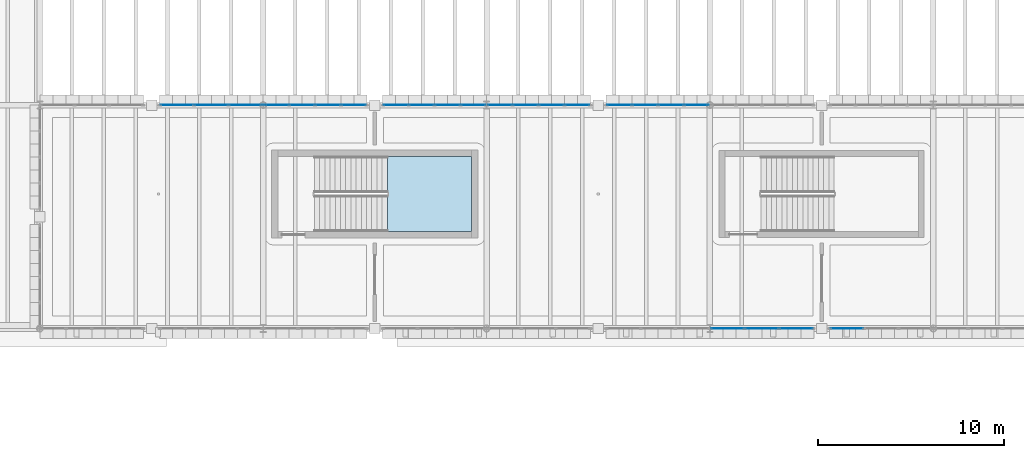
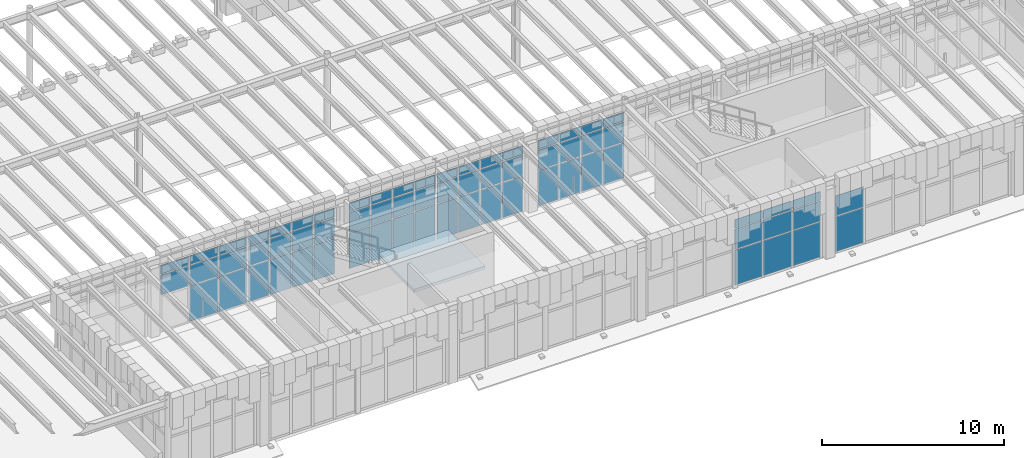
# One storey, part 51 of 100: 67 plates, 1 slab, 8 elements without a shape of their own.
"""IFC4 building model written with IfcOpenShell, lengths in metres."""

import ifcopenshell
import ifcopenshell.guid

model = None  # the IFC model being written
_history = None  # IfcOwnerHistory: only IFC2X3 demands one
_inside = {}  # id of a spatial element -> (the spatial element, [elements in it])
_under = {}  # id of a project, library or spatial element -> (it, [spatial elements below it])
_declared = {}  # id of a project -> (the project, [libraries it declares])
_typed = {}  # id of a type object -> (the type object, [elements of that type])
_made_of = {}  # id of a material, layer set ... -> (it, [elements and type objects made of it])


def new_model(schema):
    """Start an empty IFC model of exactly this schema.

    Asked for "IFC4X3", IfcOpenShell would pick the latest addendum, in which some entities
    have other attributes; the version numbers below select the first issue.
    IFC2X3 requires an IfcOwnerHistory on every rooted entity: one is made here for all.
    """
    global model, _history
    if schema == "IFC4X3":
        model = ifcopenshell.file(schema_version=(4, 3, 0, 0))
    else:
        model = ifcopenshell.file(schema=schema)
    _inside.clear()
    _under.clear()
    _declared.clear()
    _typed.clear()
    _made_of.clear()
    _history = None
    if model.schema == "IFC2X3":
        org = make("IfcOrganization", Name="unknown")
        user = make(
            "IfcPersonAndOrganization",
            ThePerson=make("IfcPerson", FamilyName="unknown"),
            TheOrganization=org,
        )
        app = make(
            "IfcApplication",
            ApplicationDeveloper=org,
            Version="unknown",
            ApplicationFullName="unknown",
            ApplicationIdentifier="unknown",
        )
        _history = make(
            "IfcOwnerHistory",
            OwningUser=user,
            OwningApplication=app,
            ChangeAction="ADDED",
            CreationDate=0,
        )
    return model


def make(cls, **values):
    """One entity of the class cls with the attributes given. An attribute that is None is left unset."""
    return model.create_entity(
        cls, **{name: value for name, value in values.items() if value is not None}
    )


def rooted(cls, **values):
    """An entity with a GlobalId (a new one), such as an element, a storey or a relation."""
    return make(cls, GlobalId=ifcopenshell.guid.new(), OwnerHistory=_history, **values)


def si_unit(unit_type, name, prefix=None):
    """IfcSIUnit, for example si_unit("LENGTHUNIT", "METRE", prefix="MILLI")."""
    return make("IfcSIUnit", UnitType=unit_type, Prefix=prefix, Name=name)


def assignment(units):
    """IfcUnitAssignment: the units of a project."""
    return None if units is None else make("IfcUnitAssignment", Units=units)


def point(xyz):
    """IfcCartesianPoint."""
    return None if xyz is None else make("IfcCartesianPoint", Coordinates=xyz)


def direction(xyz):
    """IfcDirection."""
    return None if xyz is None else make("IfcDirection", DirectionRatios=xyz)


def frame(location, z_axis=None, x_axis=None):
    """IfcAxis2Placement3D, a coordinate frame: its origin and axes. An axis left out is left unset."""
    return make(
        "IfcAxis2Placement3D",
        Location=point(location),
        Axis=direction(z_axis),
        RefDirection=direction(x_axis),
    )


def frame_2d(location, x_axis=None):
    """IfcAxis2Placement2D, a coordinate frame in the plane: its origin and x axis."""
    return make(
        "IfcAxis2Placement2D", Location=point(location), RefDirection=direction(x_axis)
    )


def origin():
    """The frame at (0, 0, 0) with its axes left unset."""
    return frame((0.0, 0.0, 0.0))


def origin_2d():
    """The frame at (0, 0) in the plane with its x axis left unset."""
    return frame_2d((0.0, 0.0))


def place(relative_to, where):
    """IfcLocalPlacement: puts the frame where relative to a parent placement (None: the world)."""
    return make(
        "IfcLocalPlacement", PlacementRelTo=relative_to, RelativePlacement=where
    )


def context(
    kind, dimensions, precision=None, world=None, true_north=None, identifier=None
):
    """IfcGeometricRepresentationContext, for example the 3D "Model" context."""
    return make(
        "IfcGeometricRepresentationContext",
        ContextIdentifier=identifier,
        ContextType=kind,
        CoordinateSpaceDimension=dimensions,
        Precision=precision,
        WorldCoordinateSystem=world,
        TrueNorth=true_north,
    )


def subcontext(parent, identifier, kind, view, scale=None):
    """IfcGeometricRepresentationSubContext, for example "Body" below "Model"."""
    return make(
        "IfcGeometricRepresentationSubContext",
        ContextIdentifier=identifier,
        ContextType=kind,
        ParentContext=parent,
        TargetScale=scale,
        TargetView=view,
    )


def project(units=None, contexts=None):
    """IfcProject with its units and contexts."""
    return rooted(
        "IfcProject",
        Name="project",
        RepresentationContexts=contexts,
        UnitsInContext=assignment(units),
    )


def spatial(cls, under=None, at=None, **own):
    """A site, building, storey or space (cls), placed at a placement, below another one or the project."""
    s = rooted(cls, ObjectPlacement=at, **own)
    if under is not None:
        _under.setdefault(under.id(), (under, []))[1].append(s)
    return s


def polyline(points):
    """IfcPolyline through the points."""
    return make("IfcPolyline", Points=[point(p) for p in points])


def profile(cls, at=None, kind="AREA", **sizes):
    """A parametric profile (cls). Its sizes go by their IFC names, for example OverallWidth=200.0."""
    return make(cls, ProfileType=kind, Position=at, **sizes)


def rectangle(**sizes):
    """IfcRectangleProfileDef."""
    return profile("IfcRectangleProfileDef", **sizes)


def outline(outer, holes=None, kind="AREA"):
    """IfcArbitraryClosedProfileDef: a profile drawn as a closed curve; with holes, ...WithVoids."""
    if holes is None:
        return make("IfcArbitraryClosedProfileDef", ProfileType=kind, OuterCurve=outer)
    return make(
        "IfcArbitraryProfileDefWithVoids",
        ProfileType=kind,
        OuterCurve=outer,
        InnerCurves=holes,
    )


def extrude(swept, where, along, depth):
    """IfcExtrudedAreaSolid: the profile swept, set in the frame where, extruded along a direction by depth."""
    return make(
        "IfcExtrudedAreaSolid",
        SweptArea=swept,
        Position=where,
        ExtrudedDirection=direction(along),
        Depth=depth,
    )


def shape(context_of_items, identifier, shape_type, items):
    """IfcShapeRepresentation: the items that make up one representation, for example the "Body"."""
    return make(
        "IfcShapeRepresentation",
        ContextOfItems=context_of_items,
        RepresentationIdentifier=identifier,
        RepresentationType=shape_type,
        Items=items,
    )


def material(Name=None, Category=None):
    """IfcMaterial."""
    return make("IfcMaterial", Name=Name, Category=Category)


def layer(
    of_material, thickness, ventilated=None, Name=None, Category=None, Priority=None
):
    """IfcMaterialLayer: one layer of a wall or slab, of a material (None: an air gap)."""
    return make(
        "IfcMaterialLayer",
        Material=of_material,
        LayerThickness=thickness,
        IsVentilated=ventilated,
        Name=Name,
        Category=Category,
        Priority=Priority,
    )


def layer_set(layers, Name=None):
    """IfcMaterialLayerSet."""
    return make("IfcMaterialLayerSet", MaterialLayers=layers, LayerSetName=Name)


def made_of(thing, what):
    """Note that an element or type object is made of a material, layer set ...; save() writes the relation."""
    if what is not None:
        _made_of.setdefault(what.id(), (what, []))[1].append(thing)
    return thing


def type_object(cls, material=None, **own):
    """A type object (cls), such as IfcWallType, which elements share."""
    return made_of(rooted(cls, **own), material)


def element(
    cls,
    number,
    at=None,
    inside=None,
    cuts=None,
    type_object=None,
    material=None,
    context=None,
    identifier="Body",
    shape_type=None,
    held_by="IfcProductDefinitionShape",
    body=None,
    shapes=None,
    **own,
):
    """One element of the class cls, such as IfcWall. Its Tag is "e" and its number.

    at: its placement. inside: the storey or other place that contains it. cuts: it is an
    opening in that element (IfcRelVoidsElement). A single representation is given by context,
    identifier, shape_type and body (its items); several are given by shapes. held_by: the class
    of the entity that holds the representations. save() writes the other relations.
    """
    e = rooted(cls, Tag="e%d" % number, ObjectPlacement=at, **own)
    if body is not None:
        shapes = [shape(context, identifier, shape_type, body)]
    if shapes is not None:
        e.Representation = make(held_by, Representations=shapes)
    if inside is not None:
        _inside.setdefault(inside.id(), (inside, []))[1].append(e)
    if cuts is not None:
        rooted(
            "IfcRelVoidsElement", RelatingBuildingElement=cuts, RelatedOpeningElement=e
        )
    if type_object is not None:
        _typed.setdefault(type_object.id(), (type_object, []))[1].append(e)
    return made_of(e, material)


def aggregate(whole, parts):
    """IfcRelAggregates: a whole, such as a stair, and the parts it consists of."""
    return rooted("IfcRelAggregates", RelatingObject=whole, RelatedObjects=parts)


def save(model, path):
    """Write the relations noted so far, then the file.

    IfcRelAggregates (storeys below a building ...), IfcRelContainedInSpatialStructure (elements
    in a storey), IfcRelDefinesByType, IfcRelAssociatesMaterial and IfcRelDeclares: one each for
    every whole, place, type object, material and project.
    """
    for whole, parts in _under.values():
        aggregate(whole, parts)
    for where, things in _inside.values():
        rooted(
            "IfcRelContainedInSpatialStructure",
            RelatedElements=things,
            RelatingStructure=where,
        )
    for kind, things in _typed.values():
        rooted("IfcRelDefinesByType", RelatedObjects=things, RelatingType=kind)
    for what, things in _made_of.values():
        rooted("IfcRelAssociatesMaterial", RelatedObjects=things, RelatingMaterial=what)
    for by, libraries in _declared.values():
        rooted("IfcRelDeclares", RelatingContext=by, RelatedDefinitions=libraries)
    model.write(path)


model = new_model("IFC4")

# Units and contexts
model_context = context("Model", 3, precision=1e-05, world=origin(), true_north=direction((0.0, 1.0)))
body_context = subcontext(model_context, "Body", "Model", "MODEL_VIEW")
ifc_project = project(units=[si_unit("LENGTHUNIT", "METRE"), si_unit("AREAUNIT", "SQUARE_METRE"), si_unit("VOLUMEUNIT", "CUBIC_METRE"), si_unit("PLANEANGLEUNIT", "RADIAN"), si_unit("MASSUNIT", "GRAM", prefix="KILO")], contexts=[model_context])

# Site, building, storey
site_placement = place(None, origin())
site = spatial("IfcSite", under=ifc_project, at=site_placement, CompositionType="ELEMENT")
building_placement = place(site_placement, origin())
building = spatial("IfcBuilding", under=site, at=building_placement, Name="Zlatogorsky Bluff Art Gallery", CompositionType="ELEMENT")
storey_placement = place(building_placement, frame((0.0, 0.0, 5.39990234375)))
storey = spatial("IfcBuildingStorey", under=building, at=storey_placement, Name="L01", CompositionType="ELEMENT", Elevation=5.39990234375)

# Curtain wall, plates
ifc_material_1 = material(Name="Anodised Bronze Aluminium and Low-Iron Triple Glazing", Category="aluminium")
ifc_layer_1 = layer(ifc_material_1, 0.219970703125)
ifc_layer_set_1 = layer_set([ifc_layer_1], Name="Curtain Wall CW-04")
curtain_wall_type_1 = type_object("IfcCurtainWallType", Name="Curtain Wall CW-04", PredefinedType="USERDEFINED", material=ifc_layer_set_1)
curtain_wall_1_placement = place(storey_placement, origin())
curtain_wall_1 = element("IfcCurtainWall", 1, at=curtain_wall_1_placement, inside=storey, type_object=curtain_wall_type_1, Name="Unitised curtain wall CW-04 L01 N 5.8-A", ObjectType="CURTAIN WALL", PredefinedType="USERDEFINED")
ifc_material_2 = material(Name="Low-Iron Laminated Triple Glazing", Category="glass")
ifc_layer_2 = layer(ifc_material_2, 0.035888671875)
ifc_layer_set_2 = layer_set([ifc_layer_2], Name="Glazed Curtain Panel CWP-01")
plate_type = type_object("IfcPlateType", Name="Glazed Curtain Panel CWP-01", PredefinedType="CURTAIN_PANEL", material=ifc_layer_set_2)
plate_1_placement = place(storey_placement, frame((71.0537109375, 96.0, 0.065185546875), z_axis=(0.0, 0.0, 1.0), x_axis=(-1.0, 0.0, 0.0)))
plate_1 = element("IfcPlate", 2, at=plate_1_placement, type_object=plate_type, Name="CW-04 panel 1.1", PredefinedType="CURTAIN_PANEL", context=body_context, shape_type="SweptSolid", body=[
    extrude(rectangle(XDim=1.762451171875, YDim=0.035888671875, at=origin_2d()), origin(), (0.0, 0.0, 1.0), 2.3525390625),
])
plate_2_placement = place(storey_placement, frame((71.0537109375, 96.0, 2.482666015625), z_axis=(0.0, 0.0, 1.0), x_axis=(-1.0, 0.0, 0.0)))
plate_2 = element("IfcPlate", 3, at=plate_2_placement, type_object=plate_type, Name="CW-04 panel 1.2", PredefinedType="CURTAIN_PANEL", context=body_context, shape_type="SweptSolid", body=[
    extrude(rectangle(XDim=1.762451171875, YDim=0.035888671875, at=origin_2d()), origin(), (0.0, 0.0, 1.0), 1.3349609375),
])
plate_3_placement = place(storey_placement, frame((71.0537109375, 96.0, 3.882568359375), z_axis=(0.0, 0.0, 1.0), x_axis=(-1.0, 0.0, 0.0)))
plate_3 = element("IfcPlate", 4, at=plate_3_placement, type_object=plate_type, Name="CW-04 panel 1.3", PredefinedType="CURTAIN_PANEL", context=body_context, shape_type="SweptSolid", body=[
    extrude(rectangle(XDim=1.762451171875, YDim=0.035888671875, at=origin_2d()), origin(), (0.0, 0.0, 1.0), 0.58251953125),
])
plate_4_placement = place(storey_placement, frame((69.2099609375, 96.0, 0.065185546875), z_axis=(0.0, 0.0, 1.0), x_axis=(-1.0, 0.0, 0.0)))
plate_4 = element("IfcPlate", 5, at=plate_4_placement, type_object=plate_type, Name="CW-04 panel 2.1", PredefinedType="CURTAIN_PANEL", context=body_context, shape_type="SweptSolid", body=[
    extrude(rectangle(XDim=1.794921875, YDim=0.035888671875, at=origin_2d()), origin(), (0.0, 0.0, 1.0), 2.3525390625),
])
plate_5_placement = place(storey_placement, frame((69.2099609375, 96.0, 2.482666015625), z_axis=(0.0, 0.0, 1.0), x_axis=(-1.0, 0.0, 0.0)))
plate_5 = element("IfcPlate", 6, at=plate_5_placement, type_object=plate_type, Name="CW-04 panel 2.2", PredefinedType="CURTAIN_PANEL", context=body_context, shape_type="SweptSolid", body=[
    extrude(rectangle(XDim=1.794921875, YDim=0.035888671875, at=origin_2d()), origin(), (0.0, 0.0, 1.0), 1.3349609375),
])
plate_6_placement = place(storey_placement, frame((69.2099609375, 96.0, 3.882568359375), z_axis=(0.0, 0.0, 1.0), x_axis=(-1.0, 0.0, 0.0)))
plate_6 = element("IfcPlate", 7, at=plate_6_placement, type_object=plate_type, Name="CW-04 panel 2.3", PredefinedType="CURTAIN_PANEL", context=body_context, shape_type="SweptSolid", body=[
    extrude(rectangle(XDim=1.794921875, YDim=0.035888671875, at=origin_2d()), origin(), (0.0, 0.0, 1.0), 0.58251953125),
])
plate_7_placement = place(storey_placement, frame((67.3662109375, 96.0, 2.482666015625), z_axis=(0.0, 0.0, 1.0), x_axis=(-1.0, 0.0, 0.0)))
plate_7 = element("IfcPlate", 8, at=plate_7_placement, type_object=plate_type, Name="CW-04 panel 3.2", PredefinedType="CURTAIN_PANEL", context=body_context, shape_type="SweptSolid", body=[
    extrude(rectangle(XDim=1.762451171875, YDim=0.035888671875, at=origin_2d()), origin(), (0.0, 0.0, 1.0), 1.3349609375),
])
plate_8_placement = place(storey_placement, frame((67.3662109375, 96.0, 3.882568359375), z_axis=(0.0, 0.0, 1.0), x_axis=(-1.0, 0.0, 0.0)))
plate_8 = element("IfcPlate", 9, at=plate_8_placement, type_object=plate_type, Name="CW-04 panel 3.3", PredefinedType="CURTAIN_PANEL", context=body_context, shape_type="SweptSolid", body=[
    extrude(rectangle(XDim=1.762451171875, YDim=0.035888671875, at=origin_2d()), origin(), (0.0, 0.0, 1.0), 0.58251953125),
])
aggregate(curtain_wall_1, [plate_1, plate_2, plate_3, plate_4, plate_5, plate_6, plate_7, plate_8])

ifc_layer_3 = layer(ifc_material_1, 0.199951171875)
ifc_layer_set_3 = layer_set([ifc_layer_3], Name="Curtain Wall CW-02")
curtain_wall_type_2 = type_object("IfcCurtainWallType", Name="Curtain Wall CW-02", PredefinedType="USERDEFINED", material=ifc_layer_set_3)
curtain_wall_2_placement = place(storey_placement, origin())
curtain_wall_2 = element("IfcCurtainWall", 10, at=curtain_wall_2_placement, inside=storey, type_object=curtain_wall_type_2, Name="Unitised curtain wall CW-02 L01 N 6.8-A", ObjectType="CURTAIN WALL", PredefinedType="USERDEFINED")
plate_9_placement = place(storey_placement, frame((83.2861328125, 96.0, 0.065185546875), z_axis=(0.0, 0.0, 1.0), x_axis=(-1.0, 0.0, 0.0)))
plate_9 = element("IfcPlate", 11, at=plate_9_placement, type_object=plate_type, Name="CW-02 panel 1.1", PredefinedType="CURTAIN_PANEL", context=body_context, shape_type="SweptSolid", body=[
    extrude(rectangle(XDim=1.297607421875, YDim=0.035888671875, at=origin_2d()), origin(), (0.0, 0.0, 1.0), 2.3525390625),
])
plate_10_placement = place(storey_placement, frame((83.2861328125, 96.0, 2.482666015625), z_axis=(0.0, 0.0, 1.0), x_axis=(-1.0, 0.0, 0.0)))
plate_10 = element("IfcPlate", 12, at=plate_10_placement, type_object=plate_type, Name="CW-02 panel 1.2", PredefinedType="CURTAIN_PANEL", context=body_context, shape_type="SweptSolid", body=[
    extrude(rectangle(XDim=1.297607421875, YDim=0.035888671875, at=origin_2d()), origin(), (0.0, 0.0, 1.0), 1.3349609375),
])
plate_11_placement = place(storey_placement, frame((83.2861328125, 96.0, 3.882568359375), z_axis=(0.0, 0.0, 1.0), x_axis=(-1.0, 0.0, 0.0)))
plate_11 = element("IfcPlate", 13, at=plate_11_placement, type_object=plate_type, Name="CW-02 panel 1.3", PredefinedType="CURTAIN_PANEL", context=body_context, shape_type="SweptSolid", body=[
    extrude(rectangle(XDim=1.297607421875, YDim=0.035888671875, at=origin_2d()), origin(), (0.0, 0.0, 1.0), 0.58251953125),
])
plate_12_placement = place(storey_placement, frame((81.907470703125, 96.0, 0.065185546875), z_axis=(0.0, 0.0, 1.0), x_axis=(-1.0, 0.0, 0.0)))
plate_12 = element("IfcPlate", 14, at=plate_12_placement, type_object=plate_type, Name="CW-02 panel 2.1", PredefinedType="CURTAIN_PANEL", context=body_context, shape_type="SweptSolid", body=[
    extrude(rectangle(XDim=1.330078125, YDim=0.035888671875, at=origin_2d()), origin(), (0.0, 0.0, 1.0), 2.3525390625),
])
plate_13_placement = place(storey_placement, frame((81.907470703125, 96.0, 2.482666015625), z_axis=(0.0, 0.0, 1.0), x_axis=(-1.0, 0.0, 0.0)))
plate_13 = element("IfcPlate", 15, at=plate_13_placement, type_object=plate_type, Name="CW-02 panel 2.2", PredefinedType="CURTAIN_PANEL", context=body_context, shape_type="SweptSolid", body=[
    extrude(rectangle(XDim=1.330078125, YDim=0.035888671875, at=origin_2d()), origin(), (0.0, 0.0, 1.0), 1.3349609375),
])
plate_14_placement = place(storey_placement, frame((81.907470703125, 96.0, 3.882568359375), z_axis=(0.0, 0.0, 1.0), x_axis=(-1.0, 0.0, 0.0)))
plate_14 = element("IfcPlate", 16, at=plate_14_placement, type_object=plate_type, Name="CW-02 panel 2.3", PredefinedType="CURTAIN_PANEL", context=body_context, shape_type="SweptSolid", body=[
    extrude(rectangle(XDim=1.330078125, YDim=0.035888671875, at=origin_2d()), origin(), (0.0, 0.0, 1.0), 0.58251953125),
])
plate_15_placement = place(storey_placement, frame((80.512451171875, 96.0, 0.065185546875), z_axis=(0.0, 0.0, 1.0), x_axis=(-1.0, 0.0, 0.0)))
plate_15 = element("IfcPlate", 17, at=plate_15_placement, type_object=plate_type, Name="CW-02 panel 3.1", PredefinedType="CURTAIN_PANEL", context=body_context, shape_type="SweptSolid", body=[
    extrude(rectangle(XDim=1.330078125, YDim=0.035888671875, at=origin_2d()), origin(), (0.0, 0.0, 1.0), 2.3525390625),
])
plate_16_placement = place(storey_placement, frame((80.512451171875, 96.0, 2.482666015625), z_axis=(0.0, 0.0, 1.0), x_axis=(-1.0, 0.0, 0.0)))
plate_16 = element("IfcPlate", 18, at=plate_16_placement, type_object=plate_type, Name="CW-02 panel 3.2", PredefinedType="CURTAIN_PANEL", context=body_context, shape_type="SweptSolid", body=[
    extrude(rectangle(XDim=1.330078125, YDim=0.035888671875, at=origin_2d()), origin(), (0.0, 0.0, 1.0), 1.3349609375),
])
plate_17_placement = place(storey_placement, frame((80.512451171875, 96.0, 3.882568359375), z_axis=(0.0, 0.0, 1.0), x_axis=(-1.0, 0.0, 0.0)))
plate_17 = element("IfcPlate", 19, at=plate_17_placement, type_object=plate_type, Name="CW-02 panel 3.3", PredefinedType="CURTAIN_PANEL", context=body_context, shape_type="SweptSolid", body=[
    extrude(rectangle(XDim=1.330078125, YDim=0.035888671875, at=origin_2d()), origin(), (0.0, 0.0, 1.0), 0.58251953125),
])
plate_18_placement = place(storey_placement, frame((79.1337890625, 96.0, 0.065185546875), z_axis=(0.0, 0.0, 1.0), x_axis=(-1.0, 0.0, 0.0)))
plate_18 = element("IfcPlate", 20, at=plate_18_placement, type_object=plate_type, Name="CW-02 panel 4.1", PredefinedType="CURTAIN_PANEL", context=body_context, shape_type="SweptSolid", body=[
    extrude(rectangle(XDim=1.297607421875, YDim=0.035888671875, at=origin_2d()), origin(), (0.0, 0.0, 1.0), 2.3525390625),
])
plate_19_placement = place(storey_placement, frame((79.1337890625, 96.0, 2.482666015625), z_axis=(0.0, 0.0, 1.0), x_axis=(-1.0, 0.0, 0.0)))
plate_19 = element("IfcPlate", 21, at=plate_19_placement, type_object=plate_type, Name="CW-02 panel 4.2", PredefinedType="CURTAIN_PANEL", context=body_context, shape_type="SweptSolid", body=[
    extrude(rectangle(XDim=1.297607421875, YDim=0.035888671875, at=origin_2d()), origin(), (0.0, 0.0, 1.0), 1.3349609375),
])
plate_20_placement = place(storey_placement, frame((79.1337890625, 96.0, 3.882568359375), z_axis=(0.0, 0.0, 1.0), x_axis=(-1.0, 0.0, 0.0)))
plate_20 = element("IfcPlate", 22, at=plate_20_placement, type_object=plate_type, Name="CW-02 panel 4.3", PredefinedType="CURTAIN_PANEL", context=body_context, shape_type="SweptSolid", body=[
    extrude(rectangle(XDim=1.297607421875, YDim=0.035888671875, at=origin_2d()), origin(), (0.0, 0.0, 1.0), 0.58251953125),
])
aggregate(curtain_wall_2, [plate_9, plate_10, plate_11, plate_12, plate_13, plate_14, plate_15, plate_16, plate_17, plate_18, plate_19, plate_20])

curtain_wall_3_placement = place(storey_placement, origin())
curtain_wall_3 = element("IfcCurtainWall", 23, at=curtain_wall_3_placement, inside=storey, type_object=curtain_wall_type_2, Name="Unitised curtain wall CW-02 L01 N 6.8-B", ObjectType="CURTAIN WALL", PredefinedType="USERDEFINED")
plate_21_placement = place(storey_placement, frame((76.8662109375, 96.0, 0.065185546875), z_axis=(0.0, 0.0, 1.0), x_axis=(-1.0, 0.0, 0.0)))
plate_21 = element("IfcPlate", 24, at=plate_21_placement, type_object=plate_type, Name="CW-02 panel 1.1", PredefinedType="CURTAIN_PANEL", context=body_context, shape_type="SweptSolid", body=[
    extrude(rectangle(XDim=1.297607421875, YDim=0.035888671875, at=origin_2d()), origin(), (0.0, 0.0, 1.0), 2.3525390625),
])
plate_22_placement = place(storey_placement, frame((76.8662109375, 96.0, 2.482666015625), z_axis=(0.0, 0.0, 1.0), x_axis=(-1.0, 0.0, 0.0)))
plate_22 = element("IfcPlate", 25, at=plate_22_placement, type_object=plate_type, Name="CW-02 panel 1.2", PredefinedType="CURTAIN_PANEL", context=body_context, shape_type="SweptSolid", body=[
    extrude(rectangle(XDim=1.297607421875, YDim=0.035888671875, at=origin_2d()), origin(), (0.0, 0.0, 1.0), 1.3349609375),
])
plate_23_placement = place(storey_placement, frame((76.8662109375, 96.0, 3.882568359375), z_axis=(0.0, 0.0, 1.0), x_axis=(-1.0, 0.0, 0.0)))
plate_23 = element("IfcPlate", 26, at=plate_23_placement, type_object=plate_type, Name="CW-02 panel 1.3", PredefinedType="CURTAIN_PANEL", context=body_context, shape_type="SweptSolid", body=[
    extrude(rectangle(XDim=1.297607421875, YDim=0.035888671875, at=origin_2d()), origin(), (0.0, 0.0, 1.0), 0.58251953125),
])
plate_24_placement = place(storey_placement, frame((75.487548828125, 96.0, 0.065185546875), z_axis=(0.0, 0.0, 1.0), x_axis=(-1.0, 0.0, 0.0)))
plate_24 = element("IfcPlate", 27, at=plate_24_placement, type_object=plate_type, Name="CW-02 panel 2.1", PredefinedType="CURTAIN_PANEL", context=body_context, shape_type="SweptSolid", body=[
    extrude(rectangle(XDim=1.330078125, YDim=0.035888671875, at=origin_2d()), origin(), (0.0, 0.0, 1.0), 2.3525390625),
])
plate_25_placement = place(storey_placement, frame((75.487548828125, 96.0, 2.482666015625), z_axis=(0.0, 0.0, 1.0), x_axis=(-1.0, 0.0, 0.0)))
plate_25 = element("IfcPlate", 28, at=plate_25_placement, type_object=plate_type, Name="CW-02 panel 2.2", PredefinedType="CURTAIN_PANEL", context=body_context, shape_type="SweptSolid", body=[
    extrude(rectangle(XDim=1.330078125, YDim=0.035888671875, at=origin_2d()), origin(), (0.0, 0.0, 1.0), 1.3349609375),
])
plate_26_placement = place(storey_placement, frame((75.487548828125, 96.0, 3.882568359375), z_axis=(0.0, 0.0, 1.0), x_axis=(-1.0, 0.0, 0.0)))
plate_26 = element("IfcPlate", 29, at=plate_26_placement, type_object=plate_type, Name="CW-02 panel 2.3", PredefinedType="CURTAIN_PANEL", context=body_context, shape_type="SweptSolid", body=[
    extrude(rectangle(XDim=1.330078125, YDim=0.035888671875, at=origin_2d()), origin(), (0.0, 0.0, 1.0), 0.58251953125),
])
plate_27_placement = place(storey_placement, frame((74.092529296875, 96.0, 0.065185546875), z_axis=(0.0, 0.0, 1.0), x_axis=(-1.0, 0.0, 0.0)))
plate_27 = element("IfcPlate", 30, at=plate_27_placement, type_object=plate_type, Name="CW-02 panel 3.1", PredefinedType="CURTAIN_PANEL", context=body_context, shape_type="SweptSolid", body=[
    extrude(rectangle(XDim=1.330078125, YDim=0.035888671875, at=origin_2d()), origin(), (0.0, 0.0, 1.0), 2.3525390625),
])
plate_28_placement = place(storey_placement, frame((74.092529296875, 96.0, 2.482666015625), z_axis=(0.0, 0.0, 1.0), x_axis=(-1.0, 0.0, 0.0)))
plate_28 = element("IfcPlate", 31, at=plate_28_placement, type_object=plate_type, Name="CW-02 panel 3.2", PredefinedType="CURTAIN_PANEL", context=body_context, shape_type="SweptSolid", body=[
    extrude(rectangle(XDim=1.330078125, YDim=0.035888671875, at=origin_2d()), origin(), (0.0, 0.0, 1.0), 1.3349609375),
])
plate_29_placement = place(storey_placement, frame((74.092529296875, 96.0, 3.882568359375), z_axis=(0.0, 0.0, 1.0), x_axis=(-1.0, 0.0, 0.0)))
plate_29 = element("IfcPlate", 32, at=plate_29_placement, type_object=plate_type, Name="CW-02 panel 3.3", PredefinedType="CURTAIN_PANEL", context=body_context, shape_type="SweptSolid", body=[
    extrude(rectangle(XDim=1.330078125, YDim=0.035888671875, at=origin_2d()), origin(), (0.0, 0.0, 1.0), 0.58251953125),
])
plate_30_placement = place(storey_placement, frame((72.7138671875, 96.0, 0.065185546875), z_axis=(0.0, 0.0, 1.0), x_axis=(-1.0, 0.0, 0.0)))
plate_30 = element("IfcPlate", 33, at=plate_30_placement, type_object=plate_type, Name="CW-02 panel 4.1", PredefinedType="CURTAIN_PANEL", context=body_context, shape_type="SweptSolid", body=[
    extrude(rectangle(XDim=1.297607421875, YDim=0.035888671875, at=origin_2d()), origin(), (0.0, 0.0, 1.0), 2.3525390625),
])
plate_31_placement = place(storey_placement, frame((72.7138671875, 96.0, 2.482666015625), z_axis=(0.0, 0.0, 1.0), x_axis=(-1.0, 0.0, 0.0)))
plate_31 = element("IfcPlate", 34, at=plate_31_placement, type_object=plate_type, Name="CW-02 panel 4.2", PredefinedType="CURTAIN_PANEL", context=body_context, shape_type="SweptSolid", body=[
    extrude(rectangle(XDim=1.297607421875, YDim=0.035888671875, at=origin_2d()), origin(), (0.0, 0.0, 1.0), 1.3349609375),
])
plate_32_placement = place(storey_placement, frame((72.7138671875, 96.0, 3.882568359375), z_axis=(0.0, 0.0, 1.0), x_axis=(-1.0, 0.0, 0.0)))
plate_32 = element("IfcPlate", 35, at=plate_32_placement, type_object=plate_type, Name="CW-02 panel 4.3", PredefinedType="CURTAIN_PANEL", context=body_context, shape_type="SweptSolid", body=[
    extrude(rectangle(XDim=1.297607421875, YDim=0.035888671875, at=origin_2d()), origin(), (0.0, 0.0, 1.0), 0.58251953125),
])
aggregate(curtain_wall_3, [plate_21, plate_22, plate_23, plate_24, plate_25, plate_26, plate_27, plate_28, plate_29, plate_30, plate_31, plate_32])

curtain_wall_4_placement = place(storey_placement, origin())
curtain_wall_4 = element("IfcCurtainWall", 36, at=curtain_wall_4_placement, inside=storey, type_object=curtain_wall_type_2, Name="Unitised curtain wall CW-02 L01 N 7.8-A", ObjectType="CURTAIN WALL", PredefinedType="USERDEFINED")
plate_33_placement = place(storey_placement, frame((95.2861328125, 96.0, 0.065185546875), z_axis=(0.0, 0.0, 1.0), x_axis=(-1.0, 0.0, 0.0)))
plate_33 = element("IfcPlate", 37, at=plate_33_placement, type_object=plate_type, Name="CW-02 panel 1.1", PredefinedType="CURTAIN_PANEL", context=body_context, shape_type="SweptSolid", body=[
    extrude(rectangle(XDim=1.297607421875, YDim=0.035888671875, at=origin_2d()), origin(), (0.0, 0.0, 1.0), 2.3525390625),
])
plate_34_placement = place(storey_placement, frame((95.2861328125, 96.0, 2.482666015625), z_axis=(0.0, 0.0, 1.0), x_axis=(-1.0, 0.0, 0.0)))
plate_34 = element("IfcPlate", 38, at=plate_34_placement, type_object=plate_type, Name="CW-02 panel 1.2", PredefinedType="CURTAIN_PANEL", context=body_context, shape_type="SweptSolid", body=[
    extrude(rectangle(XDim=1.297607421875, YDim=0.035888671875, at=origin_2d()), origin(), (0.0, 0.0, 1.0), 1.3349609375),
])
plate_35_placement = place(storey_placement, frame((95.2861328125, 96.0, 3.882568359375), z_axis=(0.0, 0.0, 1.0), x_axis=(-1.0, 0.0, 0.0)))
plate_35 = element("IfcPlate", 39, at=plate_35_placement, type_object=plate_type, Name="CW-02 panel 1.3", PredefinedType="CURTAIN_PANEL", context=body_context, shape_type="SweptSolid", body=[
    extrude(rectangle(XDim=1.297607421875, YDim=0.035888671875, at=origin_2d()), origin(), (0.0, 0.0, 1.0), 0.58251953125),
])
plate_36_placement = place(storey_placement, frame((93.907470703125, 96.0, 0.065185546875), z_axis=(0.0, 0.0, 1.0), x_axis=(-1.0, 0.0, 0.0)))
plate_36 = element("IfcPlate", 40, at=plate_36_placement, type_object=plate_type, Name="CW-02 panel 2.1", PredefinedType="CURTAIN_PANEL", context=body_context, shape_type="SweptSolid", body=[
    extrude(rectangle(XDim=1.330078125, YDim=0.035888671875, at=origin_2d()), origin(), (0.0, 0.0, 1.0), 2.3525390625),
])
plate_37_placement = place(storey_placement, frame((93.907470703125, 96.0, 2.482666015625), z_axis=(0.0, 0.0, 1.0), x_axis=(-1.0, 0.0, 0.0)))
plate_37 = element("IfcPlate", 41, at=plate_37_placement, type_object=plate_type, Name="CW-02 panel 2.2", PredefinedType="CURTAIN_PANEL", context=body_context, shape_type="SweptSolid", body=[
    extrude(rectangle(XDim=1.330078125, YDim=0.035888671875, at=origin_2d()), origin(), (0.0, 0.0, 1.0), 1.3349609375),
])
plate_38_placement = place(storey_placement, frame((93.907470703125, 96.0, 3.882568359375), z_axis=(0.0, 0.0, 1.0), x_axis=(-1.0, 0.0, 0.0)))
plate_38 = element("IfcPlate", 42, at=plate_38_placement, type_object=plate_type, Name="CW-02 panel 2.3", PredefinedType="CURTAIN_PANEL", context=body_context, shape_type="SweptSolid", body=[
    extrude(rectangle(XDim=1.330078125, YDim=0.035888671875, at=origin_2d()), origin(), (0.0, 0.0, 1.0), 0.58251953125),
])
plate_39_placement = place(storey_placement, frame((92.512451171875, 96.0, 0.065185546875), z_axis=(0.0, 0.0, 1.0), x_axis=(-1.0, 0.0, 0.0)))
plate_39 = element("IfcPlate", 43, at=plate_39_placement, type_object=plate_type, Name="CW-02 panel 3.1", PredefinedType="CURTAIN_PANEL", context=body_context, shape_type="SweptSolid", body=[
    extrude(rectangle(XDim=1.330078125, YDim=0.035888671875, at=origin_2d()), origin(), (0.0, 0.0, 1.0), 2.3525390625),
])
plate_40_placement = place(storey_placement, frame((92.512451171875, 96.0, 2.482666015625), z_axis=(0.0, 0.0, 1.0), x_axis=(-1.0, 0.0, 0.0)))
plate_40 = element("IfcPlate", 44, at=plate_40_placement, type_object=plate_type, Name="CW-02 panel 3.2", PredefinedType="CURTAIN_PANEL", context=body_context, shape_type="SweptSolid", body=[
    extrude(rectangle(XDim=1.330078125, YDim=0.035888671875, at=origin_2d()), origin(), (0.0, 0.0, 1.0), 1.3349609375),
])
plate_41_placement = place(storey_placement, frame((92.512451171875, 96.0, 3.882568359375), z_axis=(0.0, 0.0, 1.0), x_axis=(-1.0, 0.0, 0.0)))
plate_41 = element("IfcPlate", 45, at=plate_41_placement, type_object=plate_type, Name="CW-02 panel 3.3", PredefinedType="CURTAIN_PANEL", context=body_context, shape_type="SweptSolid", body=[
    extrude(rectangle(XDim=1.330078125, YDim=0.035888671875, at=origin_2d()), origin(), (0.0, 0.0, 1.0), 0.58251953125),
])
plate_42_placement = place(storey_placement, frame((91.1337890625, 96.0, 0.065185546875), z_axis=(0.0, 0.0, 1.0), x_axis=(-1.0, 0.0, 0.0)))
plate_42 = element("IfcPlate", 46, at=plate_42_placement, type_object=plate_type, Name="CW-02 panel 4.1", PredefinedType="CURTAIN_PANEL", context=body_context, shape_type="SweptSolid", body=[
    extrude(rectangle(XDim=1.297607421875, YDim=0.035888671875, at=origin_2d()), origin(), (0.0, 0.0, 1.0), 2.3525390625),
])
plate_43_placement = place(storey_placement, frame((91.1337890625, 96.0, 2.482666015625), z_axis=(0.0, 0.0, 1.0), x_axis=(-1.0, 0.0, 0.0)))
plate_43 = element("IfcPlate", 47, at=plate_43_placement, type_object=plate_type, Name="CW-02 panel 4.2", PredefinedType="CURTAIN_PANEL", context=body_context, shape_type="SweptSolid", body=[
    extrude(rectangle(XDim=1.297607421875, YDim=0.035888671875, at=origin_2d()), origin(), (0.0, 0.0, 1.0), 1.3349609375),
])
plate_44_placement = place(storey_placement, frame((91.1337890625, 96.0, 3.882568359375), z_axis=(0.0, 0.0, 1.0), x_axis=(-1.0, 0.0, 0.0)))
plate_44 = element("IfcPlate", 48, at=plate_44_placement, type_object=plate_type, Name="CW-02 panel 4.3", PredefinedType="CURTAIN_PANEL", context=body_context, shape_type="SweptSolid", body=[
    extrude(rectangle(XDim=1.297607421875, YDim=0.035888671875, at=origin_2d()), origin(), (0.0, 0.0, 1.0), 0.58251953125),
])
aggregate(curtain_wall_4, [plate_33, plate_34, plate_35, plate_36, plate_37, plate_38, plate_39, plate_40, plate_41, plate_42, plate_43, plate_44])

curtain_wall_5_placement = place(storey_placement, origin())
curtain_wall_5 = element("IfcCurtainWall", 49, at=curtain_wall_5_placement, inside=storey, type_object=curtain_wall_type_2, Name="Unitised curtain wall CW-02 L01 N 7.8-B", ObjectType="CURTAIN WALL", PredefinedType="USERDEFINED")
plate_45_placement = place(storey_placement, frame((88.8662109375, 96.0, 0.065185546875), z_axis=(0.0, 0.0, 1.0), x_axis=(-1.0, 0.0, 0.0)))
plate_45 = element("IfcPlate", 50, at=plate_45_placement, type_object=plate_type, Name="CW-02 panel 1.1", PredefinedType="CURTAIN_PANEL", context=body_context, shape_type="SweptSolid", body=[
    extrude(rectangle(XDim=1.297607421875, YDim=0.035888671875, at=origin_2d()), origin(), (0.0, 0.0, 1.0), 2.3525390625),
])
plate_46_placement = place(storey_placement, frame((88.8662109375, 96.0, 2.482666015625), z_axis=(0.0, 0.0, 1.0), x_axis=(-1.0, 0.0, 0.0)))
plate_46 = element("IfcPlate", 51, at=plate_46_placement, type_object=plate_type, Name="CW-02 panel 1.2", PredefinedType="CURTAIN_PANEL", context=body_context, shape_type="SweptSolid", body=[
    extrude(rectangle(XDim=1.297607421875, YDim=0.035888671875, at=origin_2d()), origin(), (0.0, 0.0, 1.0), 1.3349609375),
])
plate_47_placement = place(storey_placement, frame((88.8662109375, 96.0, 3.882568359375), z_axis=(0.0, 0.0, 1.0), x_axis=(-1.0, 0.0, 0.0)))
plate_47 = element("IfcPlate", 52, at=plate_47_placement, type_object=plate_type, Name="CW-02 panel 1.3", PredefinedType="CURTAIN_PANEL", context=body_context, shape_type="SweptSolid", body=[
    extrude(rectangle(XDim=1.297607421875, YDim=0.035888671875, at=origin_2d()), origin(), (0.0, 0.0, 1.0), 0.58251953125),
])
plate_48_placement = place(storey_placement, frame((87.487548828125, 96.0, 0.065185546875), z_axis=(0.0, 0.0, 1.0), x_axis=(-1.0, 0.0, 0.0)))
plate_48 = element("IfcPlate", 53, at=plate_48_placement, type_object=plate_type, Name="CW-02 panel 2.1", PredefinedType="CURTAIN_PANEL", context=body_context, shape_type="SweptSolid", body=[
    extrude(rectangle(XDim=1.330078125, YDim=0.035888671875, at=origin_2d()), origin(), (0.0, 0.0, 1.0), 2.3525390625),
])
plate_49_placement = place(storey_placement, frame((87.487548828125, 96.0, 2.482666015625), z_axis=(0.0, 0.0, 1.0), x_axis=(-1.0, 0.0, 0.0)))
plate_49 = element("IfcPlate", 54, at=plate_49_placement, type_object=plate_type, Name="CW-02 panel 2.2", PredefinedType="CURTAIN_PANEL", context=body_context, shape_type="SweptSolid", body=[
    extrude(rectangle(XDim=1.330078125, YDim=0.035888671875, at=origin_2d()), origin(), (0.0, 0.0, 1.0), 1.3349609375),
])
plate_50_placement = place(storey_placement, frame((87.487548828125, 96.0, 3.882568359375), z_axis=(0.0, 0.0, 1.0), x_axis=(-1.0, 0.0, 0.0)))
plate_50 = element("IfcPlate", 55, at=plate_50_placement, type_object=plate_type, Name="CW-02 panel 2.3", PredefinedType="CURTAIN_PANEL", context=body_context, shape_type="SweptSolid", body=[
    extrude(rectangle(XDim=1.330078125, YDim=0.035888671875, at=origin_2d()), origin(), (0.0, 0.0, 1.0), 0.58251953125),
])
plate_51_placement = place(storey_placement, frame((86.092529296875, 96.0, 0.065185546875), z_axis=(0.0, 0.0, 1.0), x_axis=(-1.0, 0.0, 0.0)))
plate_51 = element("IfcPlate", 56, at=plate_51_placement, type_object=plate_type, Name="CW-02 panel 3.1", PredefinedType="CURTAIN_PANEL", context=body_context, shape_type="SweptSolid", body=[
    extrude(rectangle(XDim=1.330078125, YDim=0.035888671875, at=origin_2d()), origin(), (0.0, 0.0, 1.0), 2.3525390625),
])
plate_52_placement = place(storey_placement, frame((86.092529296875, 96.0, 2.482666015625), z_axis=(0.0, 0.0, 1.0), x_axis=(-1.0, 0.0, 0.0)))
plate_52 = element("IfcPlate", 57, at=plate_52_placement, type_object=plate_type, Name="CW-02 panel 3.2", PredefinedType="CURTAIN_PANEL", context=body_context, shape_type="SweptSolid", body=[
    extrude(rectangle(XDim=1.330078125, YDim=0.035888671875, at=origin_2d()), origin(), (0.0, 0.0, 1.0), 1.3349609375),
])
plate_53_placement = place(storey_placement, frame((86.092529296875, 96.0, 3.882568359375), z_axis=(0.0, 0.0, 1.0), x_axis=(-1.0, 0.0, 0.0)))
plate_53 = element("IfcPlate", 58, at=plate_53_placement, type_object=plate_type, Name="CW-02 panel 3.3", PredefinedType="CURTAIN_PANEL", context=body_context, shape_type="SweptSolid", body=[
    extrude(rectangle(XDim=1.330078125, YDim=0.035888671875, at=origin_2d()), origin(), (0.0, 0.0, 1.0), 0.58251953125),
])
plate_54_placement = place(storey_placement, frame((84.7138671875, 96.0, 0.065185546875), z_axis=(0.0, 0.0, 1.0), x_axis=(-1.0, 0.0, 0.0)))
plate_54 = element("IfcPlate", 59, at=plate_54_placement, type_object=plate_type, Name="CW-02 panel 4.1", PredefinedType="CURTAIN_PANEL", context=body_context, shape_type="SweptSolid", body=[
    extrude(rectangle(XDim=1.297607421875, YDim=0.035888671875, at=origin_2d()), origin(), (0.0, 0.0, 1.0), 2.3525390625),
])
plate_55_placement = place(storey_placement, frame((84.7138671875, 96.0, 2.482666015625), z_axis=(0.0, 0.0, 1.0), x_axis=(-1.0, 0.0, 0.0)))
plate_55 = element("IfcPlate", 60, at=plate_55_placement, type_object=plate_type, Name="CW-02 panel 4.2", PredefinedType="CURTAIN_PANEL", context=body_context, shape_type="SweptSolid", body=[
    extrude(rectangle(XDim=1.297607421875, YDim=0.035888671875, at=origin_2d()), origin(), (0.0, 0.0, 1.0), 1.3349609375),
])
plate_56_placement = place(storey_placement, frame((84.7138671875, 96.0, 3.882568359375), z_axis=(0.0, 0.0, 1.0), x_axis=(-1.0, 0.0, 0.0)))
plate_56 = element("IfcPlate", 61, at=plate_56_placement, type_object=plate_type, Name="CW-02 panel 4.3", PredefinedType="CURTAIN_PANEL", context=body_context, shape_type="SweptSolid", body=[
    extrude(rectangle(XDim=1.297607421875, YDim=0.035888671875, at=origin_2d()), origin(), (0.0, 0.0, 1.0), 0.58251953125),
])
aggregate(curtain_wall_5, [plate_45, plate_46, plate_47, plate_48, plate_49, plate_50, plate_51, plate_52, plate_53, plate_54, plate_55, plate_56])

curtain_wall_6_placement = place(storey_placement, origin())
curtain_wall_6 = element("IfcCurtainWall", 62, at=curtain_wall_6_placement, inside=storey, type_object=curtain_wall_type_1, Name="Unitised curtain wall CW-04 L01 S 8.8-A", ObjectType="CURTAIN WALL", PredefinedType="USERDEFINED")
plate_57_placement = place(storey_placement, frame((96.9462890625, 84.0, 0.065185546875), z_axis=(0.0, 0.0, 1.0), x_axis=(1.0, 0.0, 0.0)))
plate_57 = element("IfcPlate", 63, at=plate_57_placement, type_object=plate_type, Name="CW-04 panel 1.1", PredefinedType="CURTAIN_PANEL", context=body_context, shape_type="SweptSolid", body=[
    extrude(rectangle(XDim=1.762451171875, YDim=0.035888671875, at=origin_2d()), origin(), (0.0, 0.0, 1.0), 2.3525390625),
])
plate_58_placement = place(storey_placement, frame((96.9462890625, 84.0, 2.482666015625), z_axis=(0.0, 0.0, 1.0), x_axis=(1.0, 0.0, 0.0)))
plate_58 = element("IfcPlate", 64, at=plate_58_placement, type_object=plate_type, Name="CW-04 panel 1.2", PredefinedType="CURTAIN_PANEL", context=body_context, shape_type="SweptSolid", body=[
    extrude(rectangle(XDim=1.762451171875, YDim=0.035888671875, at=origin_2d()), origin(), (0.0, 0.0, 1.0), 1.3349609375),
])
plate_59_placement = place(storey_placement, frame((96.9462890625, 84.0, 3.882568359375), z_axis=(0.0, 0.0, 1.0), x_axis=(1.0, 0.0, 0.0)))
plate_59 = element("IfcPlate", 65, at=plate_59_placement, type_object=plate_type, Name="CW-04 panel 1.3", PredefinedType="CURTAIN_PANEL", context=body_context, shape_type="SweptSolid", body=[
    extrude(rectangle(XDim=1.762451171875, YDim=0.035888671875, at=origin_2d()), origin(), (0.0, 0.0, 1.0), 0.58251953125),
])
plate_60_placement = place(storey_placement, frame((98.7900390625, 84.0, 0.065185546875), z_axis=(0.0, 0.0, 1.0), x_axis=(1.0, 0.0, 0.0)))
plate_60 = element("IfcPlate", 66, at=plate_60_placement, type_object=plate_type, Name="CW-04 panel 2.1", PredefinedType="CURTAIN_PANEL", context=body_context, shape_type="SweptSolid", body=[
    extrude(rectangle(XDim=1.794921875, YDim=0.035888671875, at=origin_2d()), origin(), (0.0, 0.0, 1.0), 2.3525390625),
])
plate_61_placement = place(storey_placement, frame((98.7900390625, 84.0, 2.482666015625), z_axis=(0.0, 0.0, 1.0), x_axis=(1.0, 0.0, 0.0)))
plate_61 = element("IfcPlate", 67, at=plate_61_placement, type_object=plate_type, Name="CW-04 panel 2.2", PredefinedType="CURTAIN_PANEL", context=body_context, shape_type="SweptSolid", body=[
    extrude(rectangle(XDim=1.794921875, YDim=0.035888671875, at=origin_2d()), origin(), (0.0, 0.0, 1.0), 1.3349609375),
])
plate_62_placement = place(storey_placement, frame((98.7900390625, 84.0, 3.882568359375), z_axis=(0.0, 0.0, 1.0), x_axis=(1.0, 0.0, 0.0)))
plate_62 = element("IfcPlate", 68, at=plate_62_placement, type_object=plate_type, Name="CW-04 panel 2.3", PredefinedType="CURTAIN_PANEL", context=body_context, shape_type="SweptSolid", body=[
    extrude(rectangle(XDim=1.794921875, YDim=0.035888671875, at=origin_2d()), origin(), (0.0, 0.0, 1.0), 0.58251953125),
])
plate_63_placement = place(storey_placement, frame((100.6337890625, 84.0, 0.065185546875), z_axis=(0.0, 0.0, 1.0), x_axis=(1.0, 0.0, 0.0)))
plate_63 = element("IfcPlate", 69, at=plate_63_placement, type_object=plate_type, Name="CW-04 panel 3.1", PredefinedType="CURTAIN_PANEL", context=body_context, shape_type="SweptSolid", body=[
    extrude(rectangle(XDim=1.762451171875, YDim=0.035888671875, at=origin_2d()), origin(), (0.0, 0.0, 1.0), 2.3525390625),
])
plate_64_placement = place(storey_placement, frame((100.6337890625, 84.0, 2.482666015625), z_axis=(0.0, 0.0, 1.0), x_axis=(1.0, 0.0, 0.0)))
plate_64 = element("IfcPlate", 70, at=plate_64_placement, type_object=plate_type, Name="CW-04 panel 3.2", PredefinedType="CURTAIN_PANEL", context=body_context, shape_type="SweptSolid", body=[
    extrude(rectangle(XDim=1.762451171875, YDim=0.035888671875, at=origin_2d()), origin(), (0.0, 0.0, 1.0), 1.3349609375),
])
plate_65_placement = place(storey_placement, frame((100.6337890625, 84.0, 3.882568359375), z_axis=(0.0, 0.0, 1.0), x_axis=(1.0, 0.0, 0.0)))
plate_65 = element("IfcPlate", 71, at=plate_65_placement, type_object=plate_type, Name="CW-04 panel 3.3", PredefinedType="CURTAIN_PANEL", context=body_context, shape_type="SweptSolid", body=[
    extrude(rectangle(XDim=1.762451171875, YDim=0.035888671875, at=origin_2d()), origin(), (0.0, 0.0, 1.0), 0.58251953125),
])
aggregate(curtain_wall_6, [plate_57, plate_58, plate_59, plate_60, plate_61, plate_62, plate_63, plate_64, plate_65])

curtain_wall_7_placement = place(storey_placement, origin())
curtain_wall_7 = element("IfcCurtainWall", 72, at=curtain_wall_7_placement, inside=storey, type_object=curtain_wall_type_1, Name="Unitised curtain wall CW-04 L01 S 8.8-B", ObjectType="CURTAIN WALL", PredefinedType="USERDEFINED")
plate_66_placement = place(storey_placement, frame((103.3662109375, 84.0, 0.065185546875), z_axis=(0.0, 0.0, 1.0), x_axis=(1.0, 0.0, 0.0)))
plate_66 = element("IfcPlate", 73, at=plate_66_placement, type_object=plate_type, Name="CW-04 panel 1.1", PredefinedType="CURTAIN_PANEL", context=body_context, shape_type="SweptSolid", body=[
    extrude(rectangle(XDim=1.762451171875, YDim=0.035888671875, at=origin_2d()), origin(), (0.0, 0.0, 1.0), 2.3525390625),
])
plate_67_placement = place(storey_placement, frame((103.3662109375, 84.0, 2.482666015625), z_axis=(0.0, 0.0, 1.0), x_axis=(1.0, 0.0, 0.0)))
plate_67 = element("IfcPlate", 74, at=plate_67_placement, type_object=plate_type, Name="CW-04 panel 1.2", PredefinedType="CURTAIN_PANEL", context=body_context, shape_type="SweptSolid", body=[
    extrude(rectangle(XDim=1.762451171875, YDim=0.035888671875, at=origin_2d()), origin(), (0.0, 0.0, 1.0), 1.3349609375),
])
aggregate(curtain_wall_7, [plate_66, plate_67])

# Stair, slab
ifc_material_3 = material(Name="Concrete C30/37", Category="concrete")
stair_type = type_object("IfcStairType", Name="Protected Dogleg Stair ST-T3", PredefinedType="HALF_TURN_STAIR", material=ifc_material_3)
stair_placement = place(storey_placement, origin())
stair = element("IfcStair", 75, at=stair_placement, inside=storey, type_object=stair_type, Name="L01 Protected Exit Stair ST-08", PredefinedType="HALF_TURN_STAIR")
ifc_layer_4 = layer(ifc_material_3, 0.199951171875)
ifc_layer_set_4 = layer_set([ifc_layer_4], Name="Stair Half-Landing 200mm")
slab_type = type_object("IfcSlabType", Name="Stair Half-Landing 200mm", PredefinedType="LANDING", material=ifc_layer_set_4)
slab_placement = place(storey_placement, frame((0.0, 0.0, 2.5)))
slab = element("IfcSlab", 76, at=slab_placement, type_object=slab_type, Name="ST-08 landing 1", PredefinedType="LANDING", context=body_context, shape_type="SweptSolid", body=[
    extrude(outline(polyline([(78.669921875, 89.199951171875), (83.199951171875, 89.199951171875), (83.199951171875, 93.25), (78.669921875, 93.25), (78.669921875, 89.199951171875)])), origin(), (0.0, 0.0, 1.0), 0.2001953125),
])
aggregate(stair, [slab])

save(model, "model.ifc")
